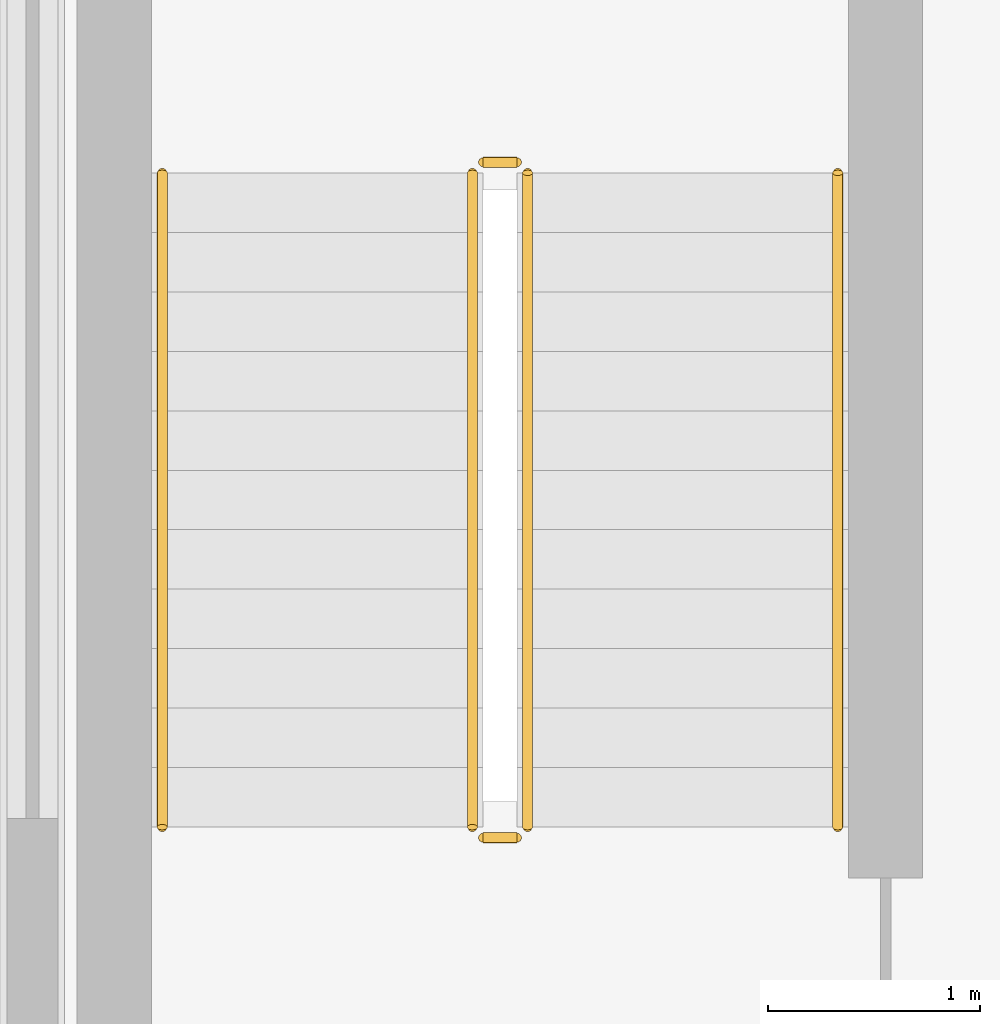
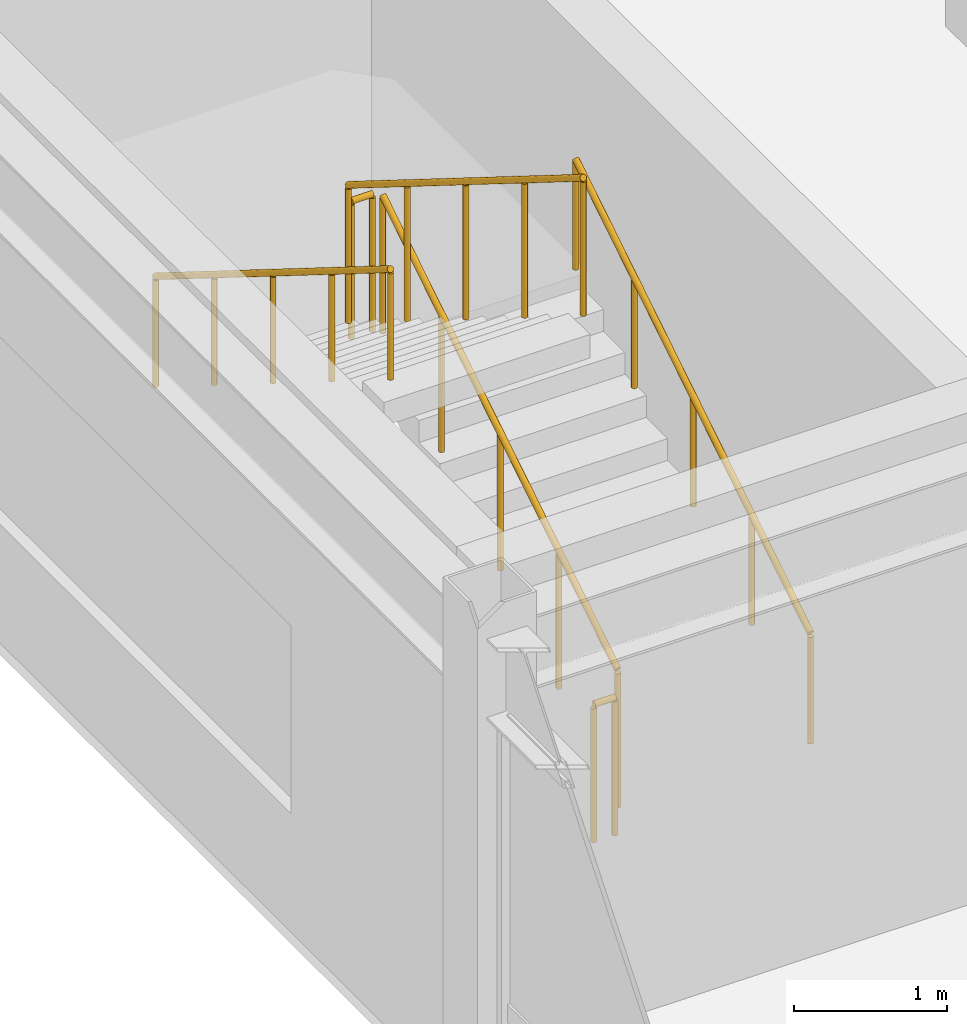
# One storey, part 104 of 105: 6 railings.
"""IFC4 building model written with IfcOpenShell, lengths in metres."""

import ifcopenshell
import ifcopenshell.guid

model = None  # the IFC model being written
_history = None  # IfcOwnerHistory: only IFC2X3 demands one
_inside = {}  # id of a spatial element -> (the spatial element, [elements in it])
_under = {}  # id of a project, library or spatial element -> (it, [spatial elements below it])
_declared = {}  # id of a project -> (the project, [libraries it declares])
_typed = {}  # id of a type object -> (the type object, [elements of that type])
_made_of = {}  # id of a material, layer set ... -> (it, [elements and type objects made of it])


def new_model(schema):
    """Start an empty IFC model of exactly this schema.

    Asked for "IFC4X3", IfcOpenShell would pick the latest addendum, in which some entities
    have other attributes; the version numbers below select the first issue.
    IFC2X3 requires an IfcOwnerHistory on every rooted entity: one is made here for all.
    """
    global model, _history
    if schema == "IFC4X3":
        model = ifcopenshell.file(schema_version=(4, 3, 0, 0))
    else:
        model = ifcopenshell.file(schema=schema)
    _inside.clear()
    _under.clear()
    _declared.clear()
    _typed.clear()
    _made_of.clear()
    _history = None
    if model.schema == "IFC2X3":
        org = make("IfcOrganization", Name="unknown")
        user = make(
            "IfcPersonAndOrganization",
            ThePerson=make("IfcPerson", FamilyName="unknown"),
            TheOrganization=org,
        )
        app = make(
            "IfcApplication",
            ApplicationDeveloper=org,
            Version="unknown",
            ApplicationFullName="unknown",
            ApplicationIdentifier="unknown",
        )
        _history = make(
            "IfcOwnerHistory",
            OwningUser=user,
            OwningApplication=app,
            ChangeAction="ADDED",
            CreationDate=0,
        )
    return model


def make(cls, **values):
    """One entity of the class cls with the attributes given. An attribute that is None is left unset."""
    return model.create_entity(
        cls, **{name: value for name, value in values.items() if value is not None}
    )


def rooted(cls, **values):
    """An entity with a GlobalId (a new one), such as an element, a storey or a relation."""
    return make(cls, GlobalId=ifcopenshell.guid.new(), OwnerHistory=_history, **values)


def si_unit(unit_type, name, prefix=None):
    """IfcSIUnit, for example si_unit("LENGTHUNIT", "METRE", prefix="MILLI")."""
    return make("IfcSIUnit", UnitType=unit_type, Prefix=prefix, Name=name)


def assignment(units):
    """IfcUnitAssignment: the units of a project."""
    return None if units is None else make("IfcUnitAssignment", Units=units)


def point(xyz):
    """IfcCartesianPoint."""
    return None if xyz is None else make("IfcCartesianPoint", Coordinates=xyz)


def direction(xyz):
    """IfcDirection."""
    return None if xyz is None else make("IfcDirection", DirectionRatios=xyz)


def frame(location, z_axis=None, x_axis=None):
    """IfcAxis2Placement3D, a coordinate frame: its origin and axes. An axis left out is left unset."""
    return make(
        "IfcAxis2Placement3D",
        Location=point(location),
        Axis=direction(z_axis),
        RefDirection=direction(x_axis),
    )


def frame_2d(location, x_axis=None):
    """IfcAxis2Placement2D, a coordinate frame in the plane: its origin and x axis."""
    return make(
        "IfcAxis2Placement2D", Location=point(location), RefDirection=direction(x_axis)
    )


def origin():
    """The frame at (0, 0, 0) with its axes left unset."""
    return frame((0.0, 0.0, 0.0))


def origin_2d():
    """The frame at (0, 0) in the plane with its x axis left unset."""
    return frame_2d((0.0, 0.0))


def place(relative_to, where):
    """IfcLocalPlacement: puts the frame where relative to a parent placement (None: the world)."""
    return make(
        "IfcLocalPlacement", PlacementRelTo=relative_to, RelativePlacement=where
    )


def context(
    kind, dimensions, precision=None, world=None, true_north=None, identifier=None
):
    """IfcGeometricRepresentationContext, for example the 3D "Model" context."""
    return make(
        "IfcGeometricRepresentationContext",
        ContextIdentifier=identifier,
        ContextType=kind,
        CoordinateSpaceDimension=dimensions,
        Precision=precision,
        WorldCoordinateSystem=world,
        TrueNorth=true_north,
    )


def subcontext(parent, identifier, kind, view, scale=None):
    """IfcGeometricRepresentationSubContext, for example "Body" below "Model"."""
    return make(
        "IfcGeometricRepresentationSubContext",
        ContextIdentifier=identifier,
        ContextType=kind,
        ParentContext=parent,
        TargetScale=scale,
        TargetView=view,
    )


def project(units=None, contexts=None):
    """IfcProject with its units and contexts."""
    return rooted(
        "IfcProject",
        Name="project",
        RepresentationContexts=contexts,
        UnitsInContext=assignment(units),
    )


def spatial(cls, under=None, at=None, **own):
    """A site, building, storey or space (cls), placed at a placement, below another one or the project."""
    s = rooted(cls, ObjectPlacement=at, **own)
    if under is not None:
        _under.setdefault(under.id(), (under, []))[1].append(s)
    return s


def profile(cls, at=None, kind="AREA", **sizes):
    """A parametric profile (cls). Its sizes go by their IFC names, for example OverallWidth=200.0."""
    return make(cls, ProfileType=kind, Position=at, **sizes)


def circle(**sizes):
    """IfcCircleProfileDef."""
    return profile("IfcCircleProfileDef", **sizes)


def extrude(swept, where, along, depth):
    """IfcExtrudedAreaSolid: the profile swept, set in the frame where, extruded along a direction by depth."""
    return make(
        "IfcExtrudedAreaSolid",
        SweptArea=swept,
        Position=where,
        ExtrudedDirection=direction(along),
        Depth=depth,
    )


def shape(context_of_items, identifier, shape_type, items):
    """IfcShapeRepresentation: the items that make up one representation, for example the "Body"."""
    return make(
        "IfcShapeRepresentation",
        ContextOfItems=context_of_items,
        RepresentationIdentifier=identifier,
        RepresentationType=shape_type,
        Items=items,
    )


def material(Name=None, Category=None):
    """IfcMaterial."""
    return make("IfcMaterial", Name=Name, Category=Category)


def made_of(thing, what):
    """Note that an element or type object is made of a material, layer set ...; save() writes the relation."""
    if what is not None:
        _made_of.setdefault(what.id(), (what, []))[1].append(thing)
    return thing


def type_object(cls, material=None, **own):
    """A type object (cls), such as IfcWallType, which elements share."""
    return made_of(rooted(cls, **own), material)


def element(
    cls,
    number,
    at=None,
    inside=None,
    cuts=None,
    type_object=None,
    material=None,
    context=None,
    identifier="Body",
    shape_type=None,
    held_by="IfcProductDefinitionShape",
    body=None,
    shapes=None,
    **own,
):
    """One element of the class cls, such as IfcWall. Its Tag is "e" and its number.

    at: its placement. inside: the storey or other place that contains it. cuts: it is an
    opening in that element (IfcRelVoidsElement). A single representation is given by context,
    identifier, shape_type and body (its items); several are given by shapes. held_by: the class
    of the entity that holds the representations. save() writes the other relations.
    """
    e = rooted(cls, Tag="e%d" % number, ObjectPlacement=at, **own)
    if body is not None:
        shapes = [shape(context, identifier, shape_type, body)]
    if shapes is not None:
        e.Representation = make(held_by, Representations=shapes)
    if inside is not None:
        _inside.setdefault(inside.id(), (inside, []))[1].append(e)
    if cuts is not None:
        rooted(
            "IfcRelVoidsElement", RelatingBuildingElement=cuts, RelatedOpeningElement=e
        )
    if type_object is not None:
        _typed.setdefault(type_object.id(), (type_object, []))[1].append(e)
    return made_of(e, material)


def aggregate(whole, parts):
    """IfcRelAggregates: a whole, such as a stair, and the parts it consists of."""
    return rooted("IfcRelAggregates", RelatingObject=whole, RelatedObjects=parts)


def save(model, path):
    """Write the relations noted so far, then the file.

    IfcRelAggregates (storeys below a building ...), IfcRelContainedInSpatialStructure (elements
    in a storey), IfcRelDefinesByType, IfcRelAssociatesMaterial and IfcRelDeclares: one each for
    every whole, place, type object, material and project.
    """
    for whole, parts in _under.values():
        aggregate(whole, parts)
    for where, things in _inside.values():
        rooted(
            "IfcRelContainedInSpatialStructure",
            RelatedElements=things,
            RelatingStructure=where,
        )
    for kind, things in _typed.values():
        rooted("IfcRelDefinesByType", RelatedObjects=things, RelatingType=kind)
    for what, things in _made_of.values():
        rooted("IfcRelAssociatesMaterial", RelatedObjects=things, RelatingMaterial=what)
    for by, libraries in _declared.values():
        rooted("IfcRelDeclares", RelatingContext=by, RelatedDefinitions=libraries)
    model.write(path)


model = new_model("IFC4")

# Units and contexts
model_context = context("Model", 3, precision=1e-05, world=origin(), true_north=direction((0.0, 1.0)))
body_context = subcontext(model_context, "Body", "Model", "MODEL_VIEW")
ifc_project = project(units=[si_unit("LENGTHUNIT", "METRE"), si_unit("AREAUNIT", "SQUARE_METRE"), si_unit("VOLUMEUNIT", "CUBIC_METRE"), si_unit("PLANEANGLEUNIT", "RADIAN"), si_unit("MASSUNIT", "GRAM", prefix="KILO")], contexts=[model_context])

# Site, building, storey
site_placement = place(None, origin())
site = spatial("IfcSite", under=ifc_project, at=site_placement, CompositionType="ELEMENT")
building_placement = place(site_placement, origin())
building = spatial("IfcBuilding", under=site, at=building_placement, Name="Suzunagisa Mobility Hub", CompositionType="ELEMENT")
storey_placement = place(building_placement, frame((0.0, 0.0, 5.10009765625)))
storey = spatial("IfcBuildingStorey", under=building, at=storey_placement, Name="L01", CompositionType="ELEMENT", Elevation=5.10009765625)

# Railings
ifc_material = material(Name="Stainless Steel SUS304", Category="metal")
railing_type_1 = type_object("IfcRailingType", Name="Interior Well Guardrail IGR-01", PredefinedType="GUARDRAIL", material=ifc_material)
railing_1_placement = place(storey_placement, frame((146.330078125, 91.360107421875, 0.1748046875)))
element("IfcRailing", 1, at=railing_1_placement, inside=storey, type_object=railing_type_1, Name="L01 ST-12 stair guard 1", PredefinedType="GUARDRAIL", context=body_context, shape_type="SweptSolid", body=[
    extrude(circle(Radius=0.02392578125, at=origin_2d()), frame((0.0, 0.0, 1.09619140625), z_axis=(0.0, 0.847979421464, 0.530029150871), x_axis=(-1.0, 0.0, 0.0)), (0.0, 0.0, 1.0), 3.632080078125),
    extrude(circle(Radius=0.02099609375, at=origin_2d()), origin(), (0.0, 0.0, 1.0), 1.072021484375),
    extrude(circle(Radius=0.02099609375, at=origin_2d()), frame((0.0, 0.77001953125, 0.481201171875)), (0.0, 0.0, 1.0), 1.072021484375),
    extrude(circle(Radius=0.02099609375, at=origin_2d()), frame((0.0, 1.5400390625, 0.96240234375)), (0.0, 0.0, 1.0), 1.072021484375),
    extrude(circle(Radius=0.02099609375, at=origin_2d()), frame((0.0, 2.309814453125, 1.44384765625)), (0.0, 0.0, 1.0), 1.072021484375),
    extrude(circle(Radius=0.02099609375, at=origin_2d()), frame((0.0, 3.079833984375, 1.925048828125)), (0.0, 0.0, 1.0), 1.072021484375),
])
railing_2_placement = place(storey_placement, frame((146.280029296875, 94.489990234375, 2.099853515625)))
element("IfcRailing", 2, at=railing_2_placement, inside=storey, type_object=railing_type_1, Name="L01 ST-12 stair guard 2", PredefinedType="GUARDRAIL", context=body_context, shape_type="SweptSolid", body=[
    extrude(circle(Radius=0.02392578125, at=origin_2d()), frame((0.0, 0.0, 1.09619140625), z_axis=(-1.0, 0.0, 0.0), x_axis=(0.0, -1.0, 0.0)), (0.0, 0.0, 1.0), 0.159912109375),
    extrude(circle(Radius=0.02099609375, at=origin_2d()), origin(), (0.0, 0.0, 1.0), 1.072021484375),
    extrude(circle(Radius=0.02099609375, at=origin_2d()), frame((-0.159912109375, 0.0, 0.0)), (0.0, 0.0, 1.0), 1.072021484375),
])
railing_3_placement = place(storey_placement, frame((146.070068359375, 94.43994140625, 2.27490234375)))
element("IfcRailing", 3, at=railing_3_placement, inside=storey, type_object=railing_type_1, Name="L01 ST-12 stair guard 3", PredefinedType="GUARDRAIL", context=body_context, shape_type="SweptSolid", body=[
    extrude(circle(Radius=0.02392578125, at=origin_2d()), frame((0.0, 0.0, 1.09619140625), z_axis=(0.0, -0.847979421464, 0.530029150871), x_axis=(1.0, 0.0, 0.0)), (0.0, 0.0, 1.0), 3.632080078125),
    extrude(circle(Radius=0.02099609375, at=origin_2d()), origin(), (0.0, 0.0, 1.0), 1.072021484375),
    extrude(circle(Radius=0.02099609375, at=origin_2d()), frame((0.0, -0.77001953125, 0.481201171875)), (0.0, 0.0, 1.0), 1.072021484375),
    extrude(circle(Radius=0.02099609375, at=origin_2d()), frame((0.0, -1.5400390625, 0.96240234375)), (0.0, 0.0, 1.0), 1.072021484375),
    extrude(circle(Radius=0.02099609375, at=origin_2d()), frame((0.0, -2.309814453125, 1.44384765625)), (0.0, 0.0, 1.0), 1.072021484375),
    extrude(circle(Radius=0.02099609375, at=origin_2d()), frame((0.0, -3.079833984375, 1.925048828125)), (0.0, 0.0, 1.0), 1.072021484375),
])
railing_4_placement = place(storey_placement, frame((146.280029296875, 91.31005859375, 0.0)))
element("IfcRailing", 4, at=railing_4_placement, inside=storey, type_object=railing_type_1, Name="L01 ST-12 stair guard 4", PredefinedType="GUARDRAIL", context=body_context, shape_type="SweptSolid", body=[
    extrude(circle(Radius=0.02392578125, at=origin_2d()), frame((0.0, 0.0, 1.09619140625), z_axis=(-1.0, 0.0, 0.0), x_axis=(0.0, -1.0, 0.0)), (0.0, 0.0, 1.0), 0.159912109375),
    extrude(circle(Radius=0.02099609375, at=origin_2d()), origin(), (0.0, 0.0, 1.0), 1.072021484375),
    extrude(circle(Radius=0.02099609375, at=origin_2d()), frame((-0.159912109375, 0.0, 0.0)), (0.0, 0.0, 1.0), 1.072021484375),
])
railing_type_2 = type_object("IfcRailingType", Name="Tubular Stainless Stair Handrail IHR-01", PredefinedType="HANDRAIL", material=ifc_material)
railing_5_placement = place(storey_placement, frame((147.7900390625, 91.360107421875, 0.1748046875)))
element("IfcRailing", 5, at=railing_5_placement, inside=storey, type_object=railing_type_2, Name="L01 ST-12 stair handrail 1", PredefinedType="HANDRAIL", context=body_context, shape_type="SweptSolid", body=[
    extrude(circle(Radius=0.02392578125, at=origin_2d()), frame((0.0, 0.0, 0.8759765625), z_axis=(0.0, 0.847979421464, 0.530029150871), x_axis=(-1.0, 0.0, 0.0)), (0.0, 0.0, 1.0), 3.632080078125),
    extrude(circle(Radius=0.02099609375, at=origin_2d()), origin(), (0.0, 0.0, 1.0), 0.851806640625),
    extrude(circle(Radius=0.02099609375, at=origin_2d()), frame((0.0, 0.77001953125, 0.481201171875)), (0.0, 0.0, 1.0), 0.851806640625),
    extrude(circle(Radius=0.02099609375, at=origin_2d()), frame((0.0, 1.5400390625, 0.96240234375)), (0.0, 0.0, 1.0), 0.851806640625),
    extrude(circle(Radius=0.02099609375, at=origin_2d()), frame((0.0, 2.309814453125, 1.44384765625)), (0.0, 0.0, 1.0), 0.851806640625),
    extrude(circle(Radius=0.02099609375, at=origin_2d()), frame((0.0, 3.079833984375, 1.925048828125)), (0.0, 0.0, 1.0), 0.851806640625),
])
railing_6_placement = place(storey_placement, frame((144.610107421875, 94.43994140625, 2.27490234375)))
element("IfcRailing", 6, at=railing_6_placement, inside=storey, type_object=railing_type_2, Name="L01 ST-12 stair handrail 2", PredefinedType="HANDRAIL", context=body_context, shape_type="SweptSolid", body=[
    extrude(circle(Radius=0.02392578125, at=origin_2d()), frame((0.0, 0.0, 0.8759765625), z_axis=(0.0, -0.847979421464, 0.530029150871), x_axis=(1.0, 0.0, 0.0)), (0.0, 0.0, 1.0), 3.632080078125),
    extrude(circle(Radius=0.02099609375, at=origin_2d()), origin(), (0.0, 0.0, 1.0), 0.851806640625),
    extrude(circle(Radius=0.02099609375, at=origin_2d()), frame((0.0, -0.77001953125, 0.481201171875)), (0.0, 0.0, 1.0), 0.851806640625),
    extrude(circle(Radius=0.02099609375, at=origin_2d()), frame((0.0, -1.5400390625, 0.96240234375)), (0.0, 0.0, 1.0), 0.851806640625),
    extrude(circle(Radius=0.02099609375, at=origin_2d()), frame((0.0, -2.309814453125, 1.44384765625)), (0.0, 0.0, 1.0), 0.851806640625),
    extrude(circle(Radius=0.02099609375, at=origin_2d()), frame((0.0, -3.079833984375, 1.925048828125)), (0.0, 0.0, 1.0), 0.851806640625),
])

save(model, "model.ifc")
